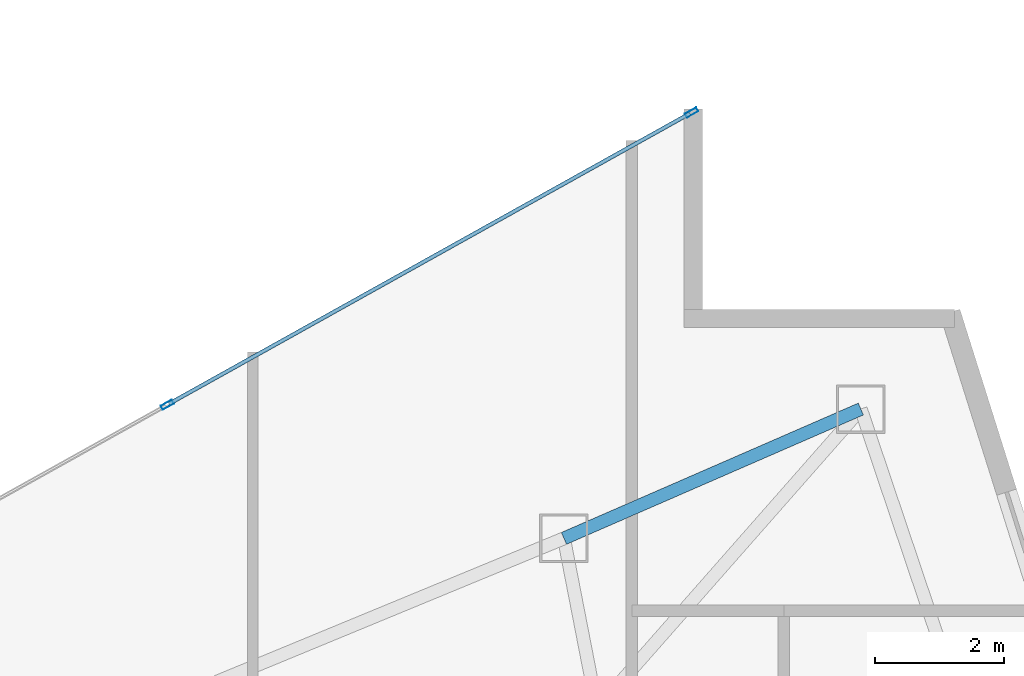
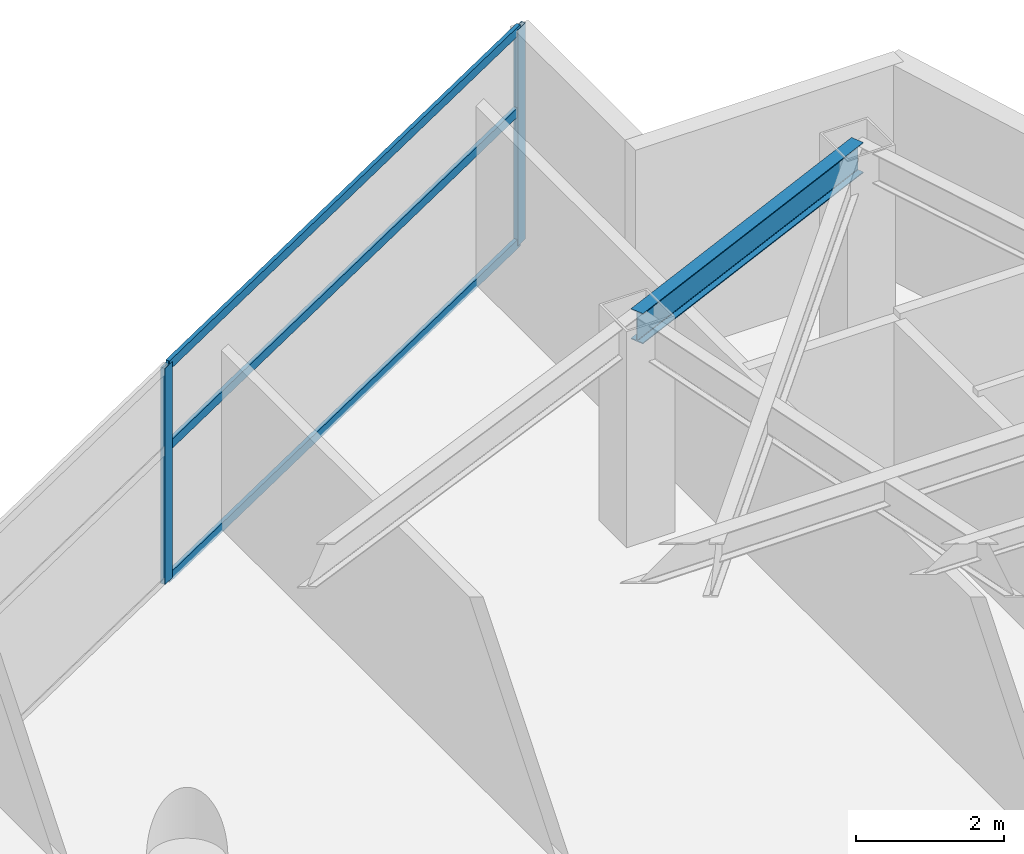
# One storey, part 20 of 28: 5 members, 1 beam, 1 element without a shape of its own.
"""IFC4 building model written with IfcOpenShell, lengths in metres."""

from ifc_helpers import new_model, si_unit, direction, frame, origin, origin_2d, place, context, subcontext, project, spatial, hollow_rectangle, i_section, extrude, material, layer, layer_set, material_profile, profile_set, type_object, element, aggregate, save


model = new_model("IFC4")

# Units and contexts
model_context = context("Model", 3, precision=1e-05, world=origin(), true_north=direction((0.0, 1.0)))
body_context = subcontext(model_context, "Body", "Model", "MODEL_VIEW")
ifc_project = project(units=[si_unit("LENGTHUNIT", "METRE"), si_unit("AREAUNIT", "SQUARE_METRE"), si_unit("VOLUMEUNIT", "CUBIC_METRE"), si_unit("PLANEANGLEUNIT", "RADIAN"), si_unit("MASSUNIT", "GRAM", prefix="KILO")], contexts=[model_context])

# Site, building, storey
site_placement = place(None, origin())
site = spatial("IfcSite", under=ifc_project, at=site_placement, CompositionType="ELEMENT")
building_placement = place(site_placement, origin())
building = spatial("IfcBuilding", under=site, at=building_placement, Name="Calvorn Quay Hotel", CompositionType="ELEMENT")
storey_placement = place(building_placement, frame((0.0, 0.0, 178.89990234375)))
storey = spatial("IfcBuildingStorey", under=building, at=storey_placement, Name="L44", CompositionType="ELEMENT", Elevation=178.89990234375)

# Beam
ifc_material_1 = material(Name="Steel Q355B", Category="steel")
ifc_material_profile_1 = material_profile(ifc_material_1, i_section(OverallWidth=0.199951171875, OverallDepth=0.5, WebThickness=0.010009765625, FlangeThickness=0.01611328125, FilletRadius=0.01611328125, at=origin_2d()), Name="HN500x200x10x16")
ifc_profile_set_1 = profile_set([ifc_material_profile_1], Name="Steel Q355B")
beam_type = type_object("IfcBeamType", Name="BM-SPANDREL-Z1", PredefinedType="SPANDREL", material=ifc_profile_set_1)
beam_placement = place(storey_placement, frame((48.591064453125, 33.39990234375, 3.2900390625), z_axis=(-0.916786146489, -0.399378469132, 0.0), x_axis=(0.399378469132, -0.916786146489, 0.0)))
element("IfcBeam", 1, at=beam_placement, inside=storey, type_object=beam_type, Name="Beam BSP-L44-E3", PredefinedType="SPANDREL", context=body_context, shape_type="SweptSolid", body=[
    extrude(i_section(OverallWidth=0.199951171875, OverallDepth=0.5, WebThickness=0.010009765625, FlangeThickness=0.01611328125, FilletRadius=0.01611328125, at=origin_2d()), origin(), (0.0, 0.0, 1.0), 5.0078125),
])

# Curtain wall, members
ifc_material_2 = material(Name="Pale Anodised Aluminium and Low-E Glass", Category="aluminium")
ifc_layer = layer(ifc_material_2, 0.219970703125)
ifc_layer_set = layer_set([ifc_layer], Name="CW-SYS-Z2")
curtain_wall_type = type_object("IfcCurtainWallType", Name="CW-SYS-Z2", PredefinedType="NOTDEFINED", material=ifc_layer_set)
curtain_wall_placement = place(storey_placement, origin())
curtain_wall = element("IfcCurtainWall", 2, at=curtain_wall_placement, inside=storey, type_object=curtain_wall_type, Name="Inner Court Curtain Wall L44-NE1", PredefinedType="NOTDEFINED")
ifc_material_3 = material(Name="Pale Anodised Aluminium 6063-T6", Category="aluminium")
ifc_material_profile_2 = material_profile(ifc_material_3, hollow_rectangle(XDim=0.070068359375, YDim=0.199951171875, WallThickness=0.00390625, at=origin_2d()), Name="ALU-M200x70x4")
ifc_profile_set_2 = profile_set([ifc_material_profile_2], Name="Pale Anodised Aluminium 6063-T6")
member_type_1 = type_object("IfcMemberType", Name="CW-SYS-Z2-MUL", PredefinedType="MULLION", material=ifc_profile_set_2)
member_1_placement = place(storey_placement, frame((45.973876953125, 37.9853515625, 0.0), z_axis=(0.0, 0.0, 1.0), x_axis=(0.486858256224, -0.873480989116, 0.0)))
member_1 = element("IfcMember", 3, at=member_1_placement, type_object=member_type_1, Name="CW-L44-NE1 mullion 1", PredefinedType="MULLION", context=body_context, shape_type="SweptSolid", body=[
    extrude(hollow_rectangle(XDim=0.070068359375, YDim=0.199951171875, WallThickness=0.00390625, at=origin_2d()), origin(), (0.0, 0.0, 1.0), 3.56005859375),
])
member_2_placement = place(storey_placement, frame((37.86669921875, 33.466552734375, 0.0), z_axis=(0.0, 0.0, 1.0), x_axis=(0.486858256224, -0.873480989116, 0.0)))
member_2 = element("IfcMember", 4, at=member_2_placement, type_object=member_type_1, Name="CW-L44-NE1 mullion 2", PredefinedType="MULLION", context=body_context, shape_type="SweptSolid", body=[
    extrude(hollow_rectangle(XDim=0.070068359375, YDim=0.199951171875, WallThickness=0.00390625, at=origin_2d()), origin(), (0.0, 0.0, 1.0), 3.56005859375),
])
ifc_material_4 = material(Name="Pale Anodised Aluminium 6063-T6", Category="aluminium")
ifc_material_profile_3 = material_profile(ifc_material_4, hollow_rectangle(XDim=0.06005859375, YDim=0.14990234375, WallThickness=0.00341796875, at=origin_2d()), Name="ALU-T150x60x3.5")
ifc_profile_set_3 = profile_set([ifc_material_profile_3], Name="Pale Anodised Aluminium 6063-T6")
member_type_2 = type_object("IfcMemberType", Name="CW-SYS-Z2-TRN", PredefinedType="USERDEFINED", material=ifc_profile_set_3)
member_3_placement = place(storey_placement, frame((45.947509765625, 37.970703125, 0.030029296875), z_axis=(-0.87348080454, -0.486858587375, 0.0), x_axis=(0.486858587375, -0.87348080454, 0.0)))
member_3 = element("IfcMember", 5, at=member_3_placement, type_object=member_type_2, Name="CW-L44-NE1 transom 1.1", ObjectType="TRANSOM", PredefinedType="USERDEFINED", context=body_context, shape_type="SweptSolid", body=[
    extrude(hollow_rectangle(XDim=0.06005859375, YDim=0.14990234375, WallThickness=0.00341796875, at=origin_2d()), origin(), (0.0, 0.0, 1.0), 9.221435546875),
])
member_4_placement = place(storey_placement, frame((45.947509765625, 37.970703125, 2.2001953125), z_axis=(-0.87348080454, -0.486858587375, 0.0), x_axis=(0.486858587375, -0.87348080454, 0.0)))
member_4 = element("IfcMember", 6, at=member_4_placement, type_object=member_type_2, Name="CW-L44-NE1 transom 1.2", ObjectType="TRANSOM", PredefinedType="USERDEFINED", context=body_context, shape_type="SweptSolid", body=[
    extrude(hollow_rectangle(XDim=0.06005859375, YDim=0.14990234375, WallThickness=0.00341796875, at=origin_2d()), origin(), (0.0, 0.0, 1.0), 9.221435546875),
])
member_5_placement = place(storey_placement, frame((45.947509765625, 37.970703125, 3.530029296875), z_axis=(-0.87348080454, -0.486858587375, 0.0), x_axis=(0.486858587375, -0.87348080454, 0.0)))
member_5 = element("IfcMember", 7, at=member_5_placement, type_object=member_type_2, Name="CW-L44-NE1 transom 1.3", ObjectType="TRANSOM", PredefinedType="USERDEFINED", context=body_context, shape_type="SweptSolid", body=[
    extrude(hollow_rectangle(XDim=0.06005859375, YDim=0.14990234375, WallThickness=0.00341796875, at=origin_2d()), origin(), (0.0, 0.0, 1.0), 9.221435546875),
])
aggregate(curtain_wall, [member_1, member_2, member_3, member_4, member_5])

save(model, "model.ifc")
